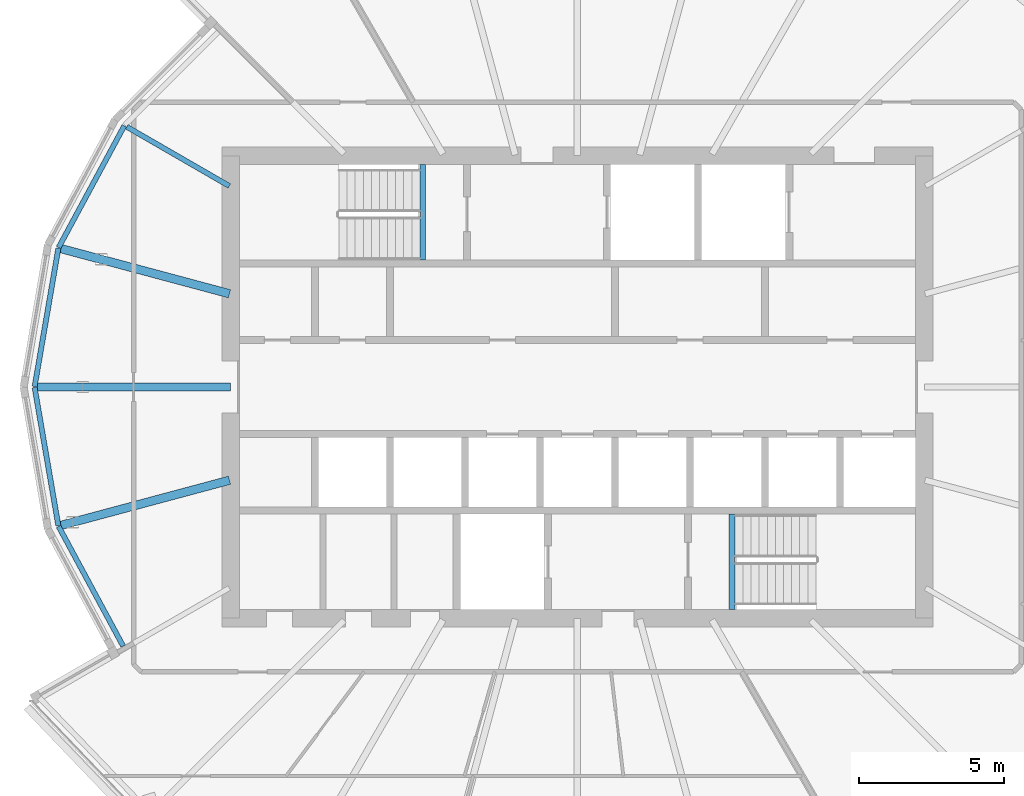
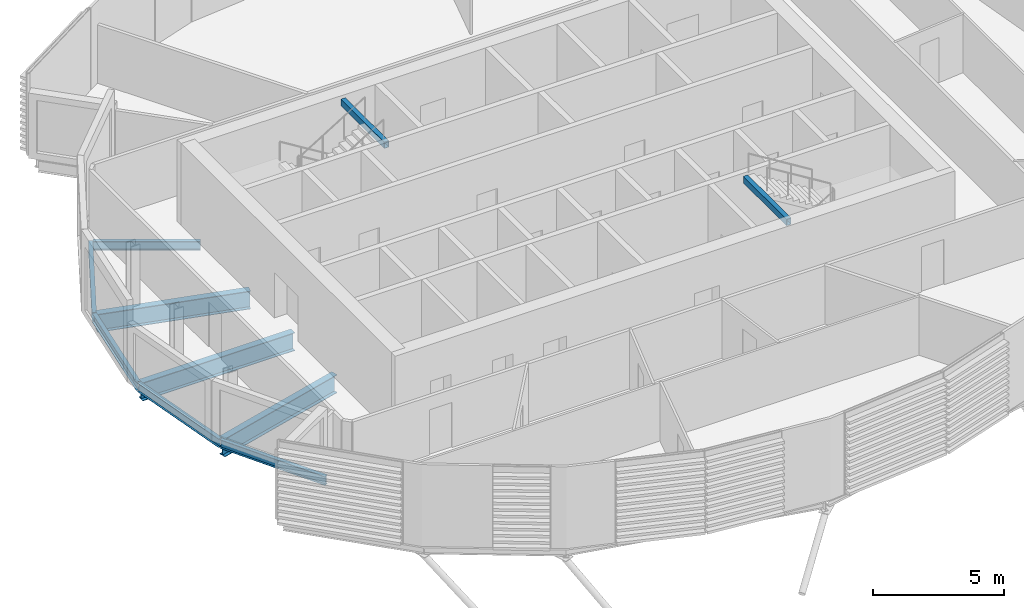
# One storey, part 5 of 37: 10 beams.
"""IFC4 building model written with IfcOpenShell, lengths in metres."""

import ifcopenshell
import ifcopenshell.guid

model = None  # the IFC model being written
_history = None  # IfcOwnerHistory: only IFC2X3 demands one
_inside = {}  # id of a spatial element -> (the spatial element, [elements in it])
_under = {}  # id of a project, library or spatial element -> (it, [spatial elements below it])
_declared = {}  # id of a project -> (the project, [libraries it declares])
_typed = {}  # id of a type object -> (the type object, [elements of that type])
_made_of = {}  # id of a material, layer set ... -> (it, [elements and type objects made of it])


def new_model(schema):
    """Start an empty IFC model of exactly this schema.

    Asked for "IFC4X3", IfcOpenShell would pick the latest addendum, in which some entities
    have other attributes; the version numbers below select the first issue.
    IFC2X3 requires an IfcOwnerHistory on every rooted entity: one is made here for all.
    """
    global model, _history
    if schema == "IFC4X3":
        model = ifcopenshell.file(schema_version=(4, 3, 0, 0))
    else:
        model = ifcopenshell.file(schema=schema)
    _inside.clear()
    _under.clear()
    _declared.clear()
    _typed.clear()
    _made_of.clear()
    _history = None
    if model.schema == "IFC2X3":
        org = make("IfcOrganization", Name="unknown")
        user = make(
            "IfcPersonAndOrganization",
            ThePerson=make("IfcPerson", FamilyName="unknown"),
            TheOrganization=org,
        )
        app = make(
            "IfcApplication",
            ApplicationDeveloper=org,
            Version="unknown",
            ApplicationFullName="unknown",
            ApplicationIdentifier="unknown",
        )
        _history = make(
            "IfcOwnerHistory",
            OwningUser=user,
            OwningApplication=app,
            ChangeAction="ADDED",
            CreationDate=0,
        )
    return model


def make(cls, **values):
    """One entity of the class cls with the attributes given. An attribute that is None is left unset."""
    return model.create_entity(
        cls, **{name: value for name, value in values.items() if value is not None}
    )


def rooted(cls, **values):
    """An entity with a GlobalId (a new one), such as an element, a storey or a relation."""
    return make(cls, GlobalId=ifcopenshell.guid.new(), OwnerHistory=_history, **values)


def si_unit(unit_type, name, prefix=None):
    """IfcSIUnit, for example si_unit("LENGTHUNIT", "METRE", prefix="MILLI")."""
    return make("IfcSIUnit", UnitType=unit_type, Prefix=prefix, Name=name)


def assignment(units):
    """IfcUnitAssignment: the units of a project."""
    return None if units is None else make("IfcUnitAssignment", Units=units)


def point(xyz):
    """IfcCartesianPoint."""
    return None if xyz is None else make("IfcCartesianPoint", Coordinates=xyz)


def direction(xyz):
    """IfcDirection."""
    return None if xyz is None else make("IfcDirection", DirectionRatios=xyz)


def frame(location, z_axis=None, x_axis=None):
    """IfcAxis2Placement3D, a coordinate frame: its origin and axes. An axis left out is left unset."""
    return make(
        "IfcAxis2Placement3D",
        Location=point(location),
        Axis=direction(z_axis),
        RefDirection=direction(x_axis),
    )


def frame_2d(location, x_axis=None):
    """IfcAxis2Placement2D, a coordinate frame in the plane: its origin and x axis."""
    return make(
        "IfcAxis2Placement2D", Location=point(location), RefDirection=direction(x_axis)
    )


def origin():
    """The frame at (0, 0, 0) with its axes left unset."""
    return frame((0.0, 0.0, 0.0))


def origin_2d():
    """The frame at (0, 0) in the plane with its x axis left unset."""
    return frame_2d((0.0, 0.0))


def place(relative_to, where):
    """IfcLocalPlacement: puts the frame where relative to a parent placement (None: the world)."""
    return make(
        "IfcLocalPlacement", PlacementRelTo=relative_to, RelativePlacement=where
    )


def context(
    kind, dimensions, precision=None, world=None, true_north=None, identifier=None
):
    """IfcGeometricRepresentationContext, for example the 3D "Model" context."""
    return make(
        "IfcGeometricRepresentationContext",
        ContextIdentifier=identifier,
        ContextType=kind,
        CoordinateSpaceDimension=dimensions,
        Precision=precision,
        WorldCoordinateSystem=world,
        TrueNorth=true_north,
    )


def subcontext(parent, identifier, kind, view, scale=None):
    """IfcGeometricRepresentationSubContext, for example "Body" below "Model"."""
    return make(
        "IfcGeometricRepresentationSubContext",
        ContextIdentifier=identifier,
        ContextType=kind,
        ParentContext=parent,
        TargetScale=scale,
        TargetView=view,
    )


def project(units=None, contexts=None):
    """IfcProject with its units and contexts."""
    return rooted(
        "IfcProject",
        Name="project",
        RepresentationContexts=contexts,
        UnitsInContext=assignment(units),
    )


def spatial(cls, under=None, at=None, **own):
    """A site, building, storey or space (cls), placed at a placement, below another one or the project."""
    s = rooted(cls, ObjectPlacement=at, **own)
    if under is not None:
        _under.setdefault(under.id(), (under, []))[1].append(s)
    return s


def profile(cls, at=None, kind="AREA", **sizes):
    """A parametric profile (cls). Its sizes go by their IFC names, for example OverallWidth=200.0."""
    return make(cls, ProfileType=kind, Position=at, **sizes)


def hollow_rectangle(**sizes):
    """IfcRectangleHollowProfileDef."""
    return profile("IfcRectangleHollowProfileDef", **sizes)


def i_section(**sizes):
    """IfcIShapeProfileDef."""
    return profile("IfcIShapeProfileDef", **sizes)


def extrude(swept, where, along, depth):
    """IfcExtrudedAreaSolid: the profile swept, set in the frame where, extruded along a direction by depth."""
    return make(
        "IfcExtrudedAreaSolid",
        SweptArea=swept,
        Position=where,
        ExtrudedDirection=direction(along),
        Depth=depth,
    )


def shape(context_of_items, identifier, shape_type, items):
    """IfcShapeRepresentation: the items that make up one representation, for example the "Body"."""
    return make(
        "IfcShapeRepresentation",
        ContextOfItems=context_of_items,
        RepresentationIdentifier=identifier,
        RepresentationType=shape_type,
        Items=items,
    )


def material(Name=None, Category=None):
    """IfcMaterial."""
    return make("IfcMaterial", Name=Name, Category=Category)


def material_profile(
    of_material, cross_section, Name=None, Category=None, Priority=None
):
    """IfcMaterialProfile: a cross section and its material."""
    return make(
        "IfcMaterialProfile",
        Name=Name,
        Material=of_material,
        Profile=cross_section,
        Priority=Priority,
        Category=Category,
    )


def profile_set(profiles, Name=None, composite=None):
    """IfcMaterialProfileSet."""
    return make(
        "IfcMaterialProfileSet",
        Name=Name,
        MaterialProfiles=profiles,
        CompositeProfile=composite,
    )


def made_of(thing, what):
    """Note that an element or type object is made of a material, layer set ...; save() writes the relation."""
    if what is not None:
        _made_of.setdefault(what.id(), (what, []))[1].append(thing)
    return thing


def type_object(cls, material=None, **own):
    """A type object (cls), such as IfcWallType, which elements share."""
    return made_of(rooted(cls, **own), material)


def element(
    cls,
    number,
    at=None,
    inside=None,
    cuts=None,
    type_object=None,
    material=None,
    context=None,
    identifier="Body",
    shape_type=None,
    held_by="IfcProductDefinitionShape",
    body=None,
    shapes=None,
    **own,
):
    """One element of the class cls, such as IfcWall. Its Tag is "e" and its number.

    at: its placement. inside: the storey or other place that contains it. cuts: it is an
    opening in that element (IfcRelVoidsElement). A single representation is given by context,
    identifier, shape_type and body (its items); several are given by shapes. held_by: the class
    of the entity that holds the representations. save() writes the other relations.
    """
    e = rooted(cls, Tag="e%d" % number, ObjectPlacement=at, **own)
    if body is not None:
        shapes = [shape(context, identifier, shape_type, body)]
    if shapes is not None:
        e.Representation = make(held_by, Representations=shapes)
    if inside is not None:
        _inside.setdefault(inside.id(), (inside, []))[1].append(e)
    if cuts is not None:
        rooted(
            "IfcRelVoidsElement", RelatingBuildingElement=cuts, RelatedOpeningElement=e
        )
    if type_object is not None:
        _typed.setdefault(type_object.id(), (type_object, []))[1].append(e)
    return made_of(e, material)


def aggregate(whole, parts):
    """IfcRelAggregates: a whole, such as a stair, and the parts it consists of."""
    return rooted("IfcRelAggregates", RelatingObject=whole, RelatedObjects=parts)


def save(model, path):
    """Write the relations noted so far, then the file.

    IfcRelAggregates (storeys below a building ...), IfcRelContainedInSpatialStructure (elements
    in a storey), IfcRelDefinesByType, IfcRelAssociatesMaterial and IfcRelDeclares: one each for
    every whole, place, type object, material and project.
    """
    for whole, parts in _under.values():
        aggregate(whole, parts)
    for where, things in _inside.values():
        rooted(
            "IfcRelContainedInSpatialStructure",
            RelatedElements=things,
            RelatingStructure=where,
        )
    for kind, things in _typed.values():
        rooted("IfcRelDefinesByType", RelatedObjects=things, RelatingType=kind)
    for what, things in _made_of.values():
        rooted("IfcRelAssociatesMaterial", RelatedObjects=things, RelatingMaterial=what)
    for by, libraries in _declared.values():
        rooted("IfcRelDeclares", RelatingContext=by, RelatedDefinitions=libraries)
    model.write(path)


model = new_model("IFC4")

# Units and contexts
model_context = context("Model", 3, precision=1e-05, world=origin(), true_north=direction((0.0, 1.0)))
body_context = subcontext(model_context, "Body", "Model", "MODEL_VIEW")
ifc_project = project(units=[si_unit("LENGTHUNIT", "METRE"), si_unit("AREAUNIT", "SQUARE_METRE"), si_unit("VOLUMEUNIT", "CUBIC_METRE"), si_unit("PLANEANGLEUNIT", "RADIAN"), si_unit("MASSUNIT", "GRAM", prefix="KILO")], contexts=[model_context])

# Site, building, storey
site_placement = place(None, origin())
site = spatial("IfcSite", under=ifc_project, at=site_placement, CompositionType="ELEMENT")
building_placement = place(site_placement, origin())
building = spatial("IfcBuilding", under=site, at=building_placement, Name="Rimbun Link Towers", CompositionType="ELEMENT")
storey_placement = place(building_placement, frame((0.0, 0.0, 166.5)))
storey = spatial("IfcBuildingStorey", under=building, at=storey_placement, Name="L40", CompositionType="ELEMENT", Elevation=166.5)

# Beams
ifc_material_1 = material(Name="Steel S355J2", Category="steel")
ifc_material_profile_1 = material_profile(ifc_material_1, hollow_rectangle(XDim=0.199951171875, YDim=0.300048828125, WallThickness=0.011962890625, at=origin_2d()), Name="BOX 300x200x12")
ifc_profile_set_1 = profile_set([ifc_material_profile_1], Name="Steel S355J2")
beam_type_1 = type_object("IfcBeamType", Name="Stair trimmer beam BOX 300x200x12", PredefinedType="BEAM", material=ifc_profile_set_1)
for number, where, z_axis, x_axis, name in (
    (1, (-37.10009765625, 7.699951171875, 3.5), (0.0, -1.0, 0.0), (1.0, 0.0, 0.0), "L40 ST1 stair beam 1"),
    (2, (-26.39990234375, -7.699951171875, 3.5), (0.0, 1.0, 0.0), (-1.0, 0.0, 0.0), "L40 ST2 stair beam 1"),
):
    element("IfcBeam", number, at=place(storey_placement, frame(where, z_axis=z_axis, x_axis=x_axis)), inside=storey, type_object=beam_type_1, Name=name, PredefinedType="BEAM", context=body_context, shape_type="SweptSolid", body=[
        extrude(hollow_rectangle(XDim=0.199951171875, YDim=0.300048828125, WallThickness=0.011962890625, at=origin_2d()), origin(), (0.0, 0.0, 1.0), 3.300048828125),
    ])
ifc_material_2 = material(Name="Steel S355J2", Category="steel")
ifc_material_profile_2 = material_profile(ifc_material_2, i_section(OverallWidth=0.177978515625, OverallDepth=0.406494140625, WebThickness=0.0078125, FlangeThickness=0.0126953125, at=origin_2d()), Name="UB 406x178x60")
ifc_profile_set_2 = profile_set([ifc_material_profile_2], Name="Steel S355J2")
beam_type_2 = type_object("IfcBeamType", Name="UB 406x178x60", PredefinedType="BEAM", material=ifc_profile_set_2)
beam_1_placement = place(storey_placement, frame((-43.79541015625, 6.954345703125, -0.353271484375), z_axis=(-0.866026800146, 0.499997581422, 0.0), x_axis=(-0.499997581422, -0.866026800146, 0.0)))
element("IfcBeam", 3, at=beam_1_placement, inside=storey, type_object=beam_type_2, Name="Radial beam T1 L40 10", PredefinedType="BEAM", context=body_context, shape_type="SweptSolid", body=[
    extrude(i_section(OverallWidth=0.177978515625, OverallDepth=0.406494140625, WebThickness=0.0078125, FlangeThickness=0.0126953125, at=origin_2d()), origin(), (0.0, 0.0, 1.0), 4.0966796875),
])
beam_2_placement = place(storey_placement, frame((-47.42822265625, 9.03564453125, -0.353271484375), z_axis=(-0.474760075535, -0.880115259882, 0.0), x_axis=(0.880115259882, -0.474760075535, 0.0)))
element("IfcBeam", 4, at=beam_2_placement, inside=storey, type_object=beam_type_2, Name="Edge beam T1 L40 10 recess", PredefinedType="BEAM", context=body_context, shape_type="SweptSolid", body=[
    extrude(i_section(OverallWidth=0.177978515625, OverallDepth=0.406494140625, WebThickness=0.0078125, FlangeThickness=0.0126953125, at=origin_2d()), origin(), (0.0, 0.0, 1.0), 4.783935546875),
])
for number, where, z_axis, x_axis, name in (
    (5, (-49.70947265625, 4.796142578125, -0.353271484375), (-0.169090960301, -0.985600450053, 0.0), (0.985600450053, -0.169090960301, 0.0), "Edge beam T1 L40 11 recess"),
    (6, (-50.529541015625, -0.01611328125, -0.353271484375), (0.169090960301, -0.985600450053, 0.0), (0.985600450053, 0.169090960301, 0.0), "Edge beam T1 L40 12 recess"),
):
    element("IfcBeam", number, at=place(storey_placement, frame(where, z_axis=z_axis, x_axis=x_axis)), inside=storey, type_object=beam_type_2, Name=name, PredefinedType="BEAM", context=body_context, shape_type="SweptSolid", body=[
        extrude(i_section(OverallWidth=0.177978515625, OverallDepth=0.406494140625, WebThickness=0.0078125, FlangeThickness=0.0126953125, at=origin_2d()), origin(), (0.0, 0.0, 1.0), 4.849853515625),
    ])
beam_3_placement = place(storey_placement, frame((-49.699462890625, -4.8251953125, -0.353271484375), z_axis=(0.474746351727, -0.88012266277, 0.0), x_axis=(0.88012266277, 0.474746351727, 0.0)))
element("IfcBeam", 7, at=beam_3_placement, inside=storey, type_object=beam_type_2, Name="Edge beam T1 L40 13 recess", PredefinedType="BEAM", context=body_context, shape_type="SweptSolid", body=[
    extrude(i_section(OverallWidth=0.177978515625, OverallDepth=0.406494140625, WebThickness=0.0078125, FlangeThickness=0.0126953125, at=origin_2d()), origin(), (0.0, 0.0, 1.0), 4.705322265625),
])
ifc_material_3 = material(Name="Steel S355J2", Category="steel")
ifc_material_profile_3 = material_profile(ifc_material_3, i_section(OverallWidth=0.29248046875, OverallDepth=0.8408203125, WebThickness=0.0126953125, FlangeThickness=0.021728515625, at=origin_2d()), Name="UB 838x292x194")
ifc_profile_set_3 = profile_set([ifc_material_profile_3], Name="Steel S355J2")
beam_type_3 = type_object("IfcBeamType", Name="UB 838x292x194", PredefinedType="BEAM", material=ifc_profile_set_3)
beam_4_placement = place(storey_placement, frame((-43.788818359375, 3.225830078125, -0.5703125), z_axis=(-0.965932888353, 0.258792687681, 0.0), x_axis=(-0.258792687681, -0.965932888353, 0.0)))
element("IfcBeam", 8, at=beam_4_placement, inside=storey, type_object=beam_type_3, Name="Radial beam T1 L40 11", PredefinedType="BEAM", context=body_context, shape_type="SweptSolid", body=[
    extrude(i_section(OverallWidth=0.29248046875, OverallDepth=0.8408203125, WebThickness=0.0126953125, FlangeThickness=0.021728515625, at=origin_2d()), origin(), (0.0, 0.0, 1.0), 6.03662109375),
])
beam_5_placement = place(storey_placement, frame((-43.7509765625, 0.0, -0.5703125), z_axis=(-1.0, 0.0, 0.0), x_axis=(0.0, -1.0, 0.0)))
element("IfcBeam", 9, at=beam_5_placement, inside=storey, type_object=beam_type_3, Name="Radial beam T1 L40 12", PredefinedType="BEAM", context=body_context, shape_type="SweptSolid", body=[
    extrude(i_section(OverallWidth=0.29248046875, OverallDepth=0.8408203125, WebThickness=0.0126953125, FlangeThickness=0.021728515625, at=origin_2d()), origin(), (0.0, 0.0, 1.0), 6.69140625),
])
beam_6_placement = place(storey_placement, frame((-43.788818359375, -3.225830078125, -0.5703125), z_axis=(-0.965932888353, -0.258792687681, 0.0), x_axis=(0.258792687681, -0.965932888353, 0.0)))
element("IfcBeam", 10, at=beam_6_placement, inside=storey, type_object=beam_type_3, Name="Radial beam T1 L40 13", PredefinedType="BEAM", context=body_context, shape_type="SweptSolid", body=[
    extrude(i_section(OverallWidth=0.29248046875, OverallDepth=0.8408203125, WebThickness=0.0126953125, FlangeThickness=0.021728515625, at=origin_2d()), origin(), (0.0, 0.0, 1.0), 6.03662109375),
])

save(model, "model.ifc")
